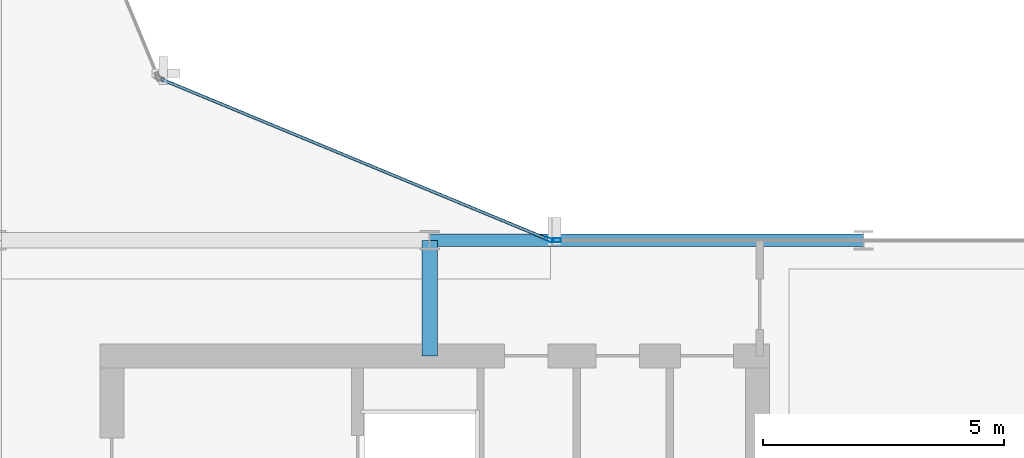
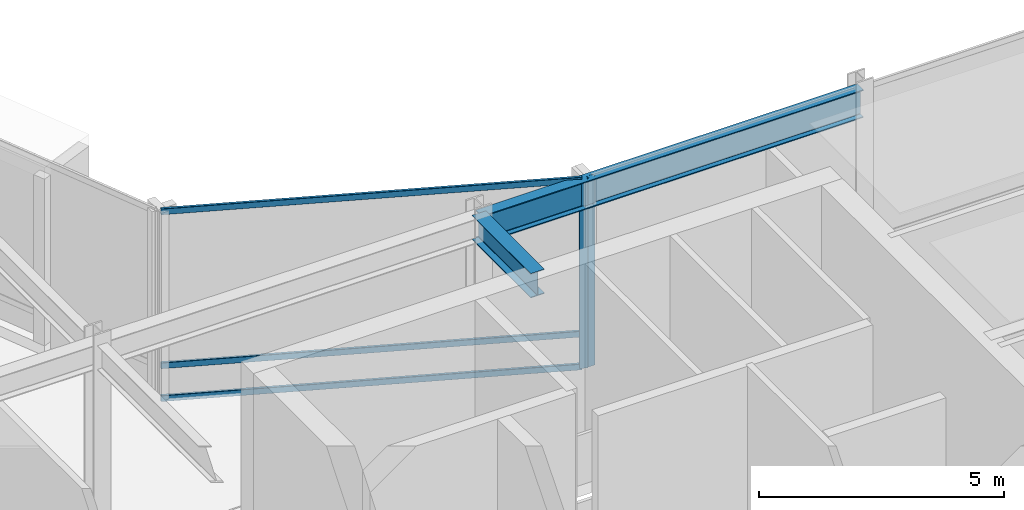
# One storey, part 12 of 28: 5 members, 2 beams, 2 elements without a shape of their own.
"""IFC4 building model written with IfcOpenShell, lengths in metres."""

from ifc_helpers import new_model, si_unit, direction, frame, origin, origin_2d, place, context, subcontext, project, spatial, hollow_rectangle, i_section, extrude, material, layer, layer_set, material_profile, profile_set, type_object, element, aggregate, save


model = new_model("IFC4")

# Units and contexts
model_context = context("Model", 3, precision=1e-05, world=origin(), true_north=direction((0.0, 1.0)))
body_context = subcontext(model_context, "Body", "Model", "MODEL_VIEW")
ifc_project = project(units=[si_unit("LENGTHUNIT", "METRE"), si_unit("AREAUNIT", "SQUARE_METRE"), si_unit("VOLUMEUNIT", "CUBIC_METRE"), si_unit("PLANEANGLEUNIT", "RADIAN"), si_unit("MASSUNIT", "GRAM", prefix="KILO")], contexts=[model_context])

# Site, building, storey
site_placement = place(None, origin())
site = spatial("IfcSite", under=ifc_project, at=site_placement, CompositionType="ELEMENT")
building_placement = place(site_placement, origin())
building = spatial("IfcBuilding", under=site, at=building_placement, Name="Solvaryn Broadcast Tower", CompositionType="ELEMENT")
storey_placement = place(building_placement, frame((0.0, 0.0, 201.199951171875)))
storey = spatial("IfcBuildingStorey", under=building, at=storey_placement, Name="L50", CompositionType="ELEMENT", Elevation=201.199951171875)

# Beams
ifc_material_1 = material(Name="Steel ASTM A992 Grade 50", Category="steel")
ifc_material_profile_1 = material_profile(ifc_material_1, i_section(OverallWidth=0.323974609375, OverallDepth=0.611083984375, WebThickness=0.0126953125, FlangeThickness=0.01904296875, FilletRadius=0.014892578125, at=origin_2d()))
ifc_profile_set_1 = profile_set([ifc_material_profile_1], Name="Steel ASTM A992 Grade 50")
beam_type_1 = type_object("IfcBeamType", Name="BM-B1-W24X104", PredefinedType="BEAM", material=ifc_profile_set_1)
beam_1_placement = place(storey_placement, frame((36.0, 24.60009765625, 4.41455078125), z_axis=(0.0, 1.0, 0.0), x_axis=(-1.0, 0.0, 0.0)))
element("IfcBeam", 1, at=beam_1_placement, inside=storey, type_object=beam_type_1, Name="L50 Core Tie Beam CTE2", PredefinedType="BEAM", context=body_context, shape_type="SweptSolid", body=[
    extrude(i_section(OverallWidth=0.323974609375, OverallDepth=0.611083984375, WebThickness=0.0126953125, FlangeThickness=0.01904296875, FilletRadius=0.014892578125, at=origin_2d()), origin(), (0.0, 0.0, 1.0), 2.39990234375),
])
ifc_material_2 = material(Name="Steel ASTM A992 Grade 50", Category="steel")
ifc_material_profile_2 = material_profile(ifc_material_2, i_section(OverallWidth=0.256103515625, OverallDepth=0.693115234375, WebThickness=0.014404296875, FlangeThickness=0.023681640625, FilletRadius=0.01611328125, at=origin_2d()))
ifc_profile_set_2 = profile_set([ifc_material_profile_2], Name="Steel ASTM A992 Grade 50")
beam_type_2 = type_object("IfcBeamType", Name="BM-SP3-W27X114", PredefinedType="USERDEFINED", material=ifc_profile_set_2)
beam_2_placement = place(storey_placement, frame((36.0, 27.0, 4.37353515625), z_axis=(1.0, 0.0, 0.0), x_axis=(0.0, 1.0, 0.0)))
element("IfcBeam", 2, at=beam_2_placement, inside=storey, type_object=beam_type_2, Name="L50 Spandrel Beam X (36-45 @ Y=27)", ObjectType="SPANDREL", PredefinedType="USERDEFINED", context=body_context, shape_type="SweptSolid", body=[
    extrude(i_section(OverallWidth=0.256103515625, OverallDepth=0.693115234375, WebThickness=0.014404296875, FlangeThickness=0.023681640625, FilletRadius=0.01611328125, at=origin_2d()), origin(), (0.0, 0.0, 1.0), 9.0),
])

# Curtain wall, member
ifc_material_3 = material(Name="Aluminium and Terracotta Unitised Curtain Wall", Category="masonry")
ifc_layer = layer(ifc_material_3, 0.199951171875)
ifc_layer_set = layer_set([ifc_layer], Name="CW-SYS2-LOWMID")
curtain_wall_type = type_object("IfcCurtainWallType", Name="CW-SYS2-LOWMID", PredefinedType="NOTDEFINED", material=ifc_layer_set)
curtain_wall_1_placement = place(storey_placement, origin())
curtain_wall_1 = element("IfcCurtainWall", 3, at=curtain_wall_1_placement, inside=storey, type_object=curtain_wall_type, Name="L50 Curtain Wall CN1", PredefinedType="NOTDEFINED")
ifc_material_4 = material(Name="Anodised Aluminium 6063-T6", Category="aluminium")
ifc_material_profile_3 = material_profile(ifc_material_4, hollow_rectangle(XDim=0.074951171875, YDim=0.179931640625, WallThickness=0.00390625, InnerFilletRadius=0.00390625, OuterFilletRadius=0.008056640625, at=origin_2d()))
ifc_profile_set_3 = profile_set([ifc_material_profile_3], Name="Anodised Aluminium 6063-T6")
member_type_1 = type_object("IfcMemberType", Name="CW-MUL-180", PredefinedType="MULLION", material=ifc_profile_set_3)
member_1_placement = place(storey_placement, frame((38.47216796875, 27.011474609375, 0.0), z_axis=(0.0, 0.0, 1.0), x_axis=(-0.382646127145, -0.923894983957, 0.0)))
member_1 = element("IfcMember", 4, at=member_1_placement, type_object=member_type_1, Name="CWS2 mullion 1", PredefinedType="MULLION", context=body_context, shape_type="SweptSolid", body=[
    extrude(hollow_rectangle(XDim=0.074951171875, YDim=0.179931640625, WallThickness=0.00390625, InnerFilletRadius=0.00390625, OuterFilletRadius=0.008056640625, at=origin_2d()), origin(), (0.0, 0.0, 1.0), 4.719970703125),
])

curtain_wall_2_placement = place(storey_placement, origin())
curtain_wall_2 = element("IfcCurtainWall", 5, at=curtain_wall_2_placement, inside=storey, type_object=curtain_wall_type, Name="L50 Curtain Wall IH", PredefinedType="NOTDEFINED")
member_2_placement = place(storey_placement, frame((38.6298828125, 27.0, 0.0), z_axis=(0.0, 0.0, 1.0), x_axis=(0.0, 1.0, 0.0)))
member_2 = element("IfcMember", 6, at=member_2_placement, type_object=member_type_1, Name="CWS2 mullion 1", PredefinedType="MULLION", context=body_context, shape_type="SweptSolid", body=[
    extrude(hollow_rectangle(XDim=0.074951171875, YDim=0.179931640625, WallThickness=0.00390625, InnerFilletRadius=0.00390625, OuterFilletRadius=0.008056640625, at=origin_2d()), origin(), (0.0, 0.0, 1.0), 4.719970703125),
])
aggregate(curtain_wall_2, [member_2])

# Member
ifc_material_5 = material(Name="Anodised Aluminium 6063-T6", Category="aluminium")
ifc_material_profile_4 = material_profile(ifc_material_5, hollow_rectangle(XDim=0.06494140625, YDim=0.14990234375, WallThickness=0.00390625, InnerFilletRadius=0.00390625, OuterFilletRadius=0.008056640625, at=origin_2d()))
ifc_profile_set_4 = profile_set([ifc_material_profile_4], Name="Anodised Aluminium 6063-T6")
member_type_2 = type_object("IfcMemberType", Name="CW-TRN-150", PredefinedType="USERDEFINED", material=ifc_profile_set_4)
member_3_placement = place(storey_placement, frame((38.444580078125, 27.02294921875, 0.030029296875), z_axis=(-0.923899282177, 0.382635748975, 0.0), x_axis=(-0.382635748975, -0.923899282177, 0.0)))
member_3 = element("IfcMember", 7, at=member_3_placement, type_object=member_type_2, Name="CWS2 transom 1.1", ObjectType="TRANSOM", PredefinedType="USERDEFINED", context=body_context, shape_type="SweptSolid", body=[
    extrude(hollow_rectangle(XDim=0.06494140625, YDim=0.14990234375, WallThickness=0.00390625, InnerFilletRadius=0.00390625, OuterFilletRadius=0.008056640625, at=origin_2d()), origin(), (0.0, 0.0, 1.0), 8.681884765625),
])

member_4_placement = place(storey_placement, frame((38.444580078125, 27.02294921875, 0.85009765625), z_axis=(-0.923899282177, 0.382635748975, 0.0), x_axis=(-0.382635748975, -0.923899282177, 0.0)))
member_4 = element("IfcMember", 8, at=member_4_placement, type_object=member_type_2, Name="CWS2 transom 1.2", ObjectType="TRANSOM", PredefinedType="USERDEFINED", context=body_context, shape_type="SweptSolid", body=[
    extrude(hollow_rectangle(XDim=0.06494140625, YDim=0.14990234375, WallThickness=0.00390625, InnerFilletRadius=0.00390625, OuterFilletRadius=0.008056640625, at=origin_2d()), origin(), (0.0, 0.0, 1.0), 8.681884765625),
])

member_5_placement = place(storey_placement, frame((38.444580078125, 27.02294921875, 4.68994140625), z_axis=(-0.923899282177, 0.382635748975, 0.0), x_axis=(-0.382635748975, -0.923899282177, 0.0)))
member_5 = element("IfcMember", 9, at=member_5_placement, type_object=member_type_2, Name="CWS2 transom 1.3", ObjectType="TRANSOM", PredefinedType="USERDEFINED", context=body_context, shape_type="SweptSolid", body=[
    extrude(hollow_rectangle(XDim=0.06494140625, YDim=0.14990234375, WallThickness=0.00390625, InnerFilletRadius=0.00390625, OuterFilletRadius=0.008056640625, at=origin_2d()), origin(), (0.0, 0.0, 1.0), 8.681884765625),
])

aggregate(curtain_wall_1, [member_1, member_3, member_4, member_5])

save(model, "model.ifc")
